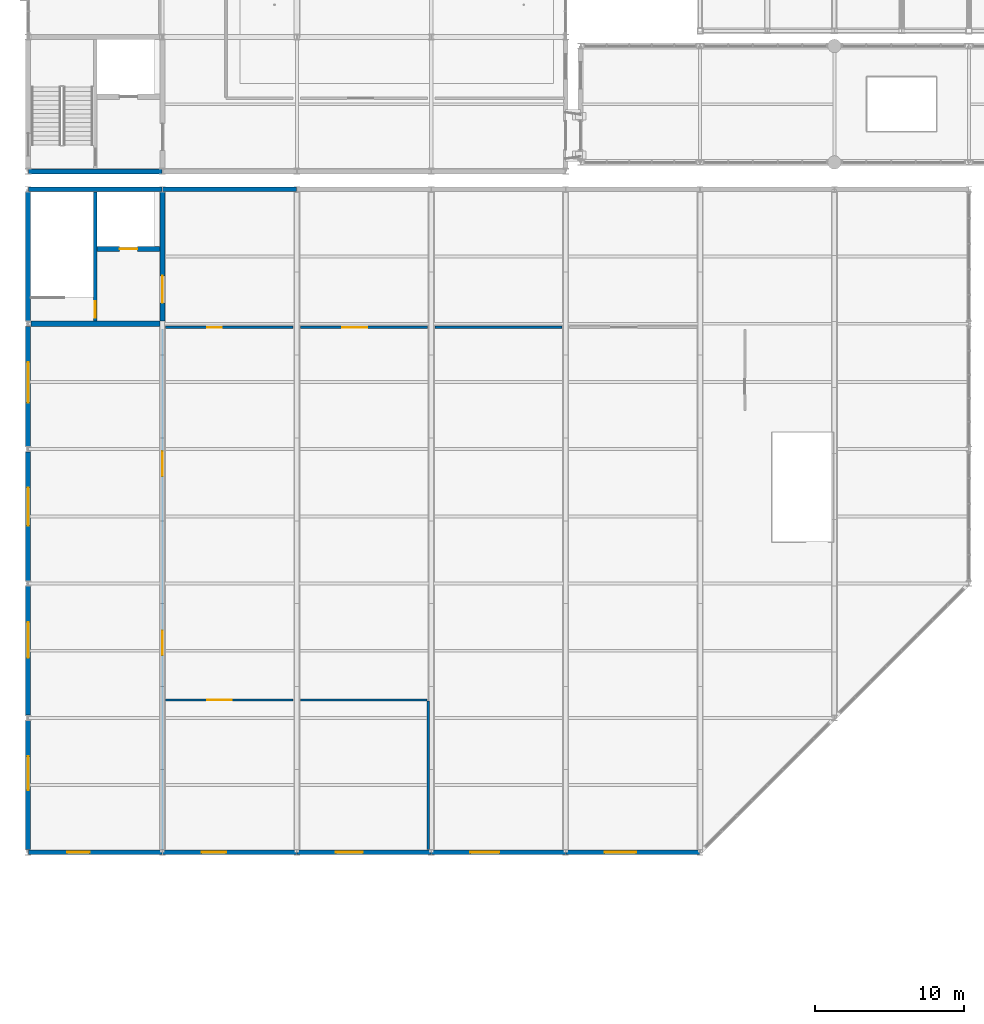
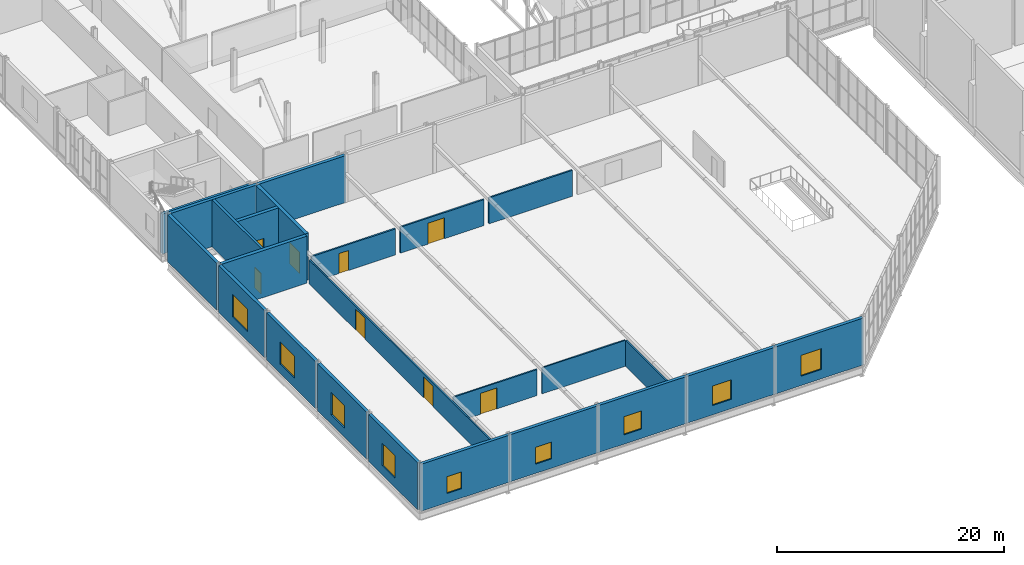
# One storey, part 111 of 134: 24 walls, 9 windows, 8 doors, 17 openings.
"""IFC4 building model written with IfcOpenShell, lengths in metres."""

from ifc_helpers import new_model, si_unit, direction, frame, frame_2d, origin, place, context, subcontext, project, spatial, rectangle, extrude, material, layer, layer_set, type_object, element, fill, save


model = new_model("IFC4")

# Units and contexts
model_context = context("Model", 3, precision=1e-05, world=origin(), true_north=direction((0.0, 1.0)))
body_context = subcontext(model_context, "Body", "Model", "MODEL_VIEW")
ifc_project = project(units=[si_unit("LENGTHUNIT", "METRE"), si_unit("AREAUNIT", "SQUARE_METRE"), si_unit("VOLUMEUNIT", "CUBIC_METRE"), si_unit("PLANEANGLEUNIT", "RADIAN"), si_unit("MASSUNIT", "GRAM", prefix="KILO")], contexts=[model_context])

# Site, building, storey
site_placement = place(None, origin())
site = spatial("IfcSite", under=ifc_project, at=site_placement, CompositionType="ELEMENT")
building_placement = place(site_placement, origin())
building = spatial("IfcBuilding", under=site, at=building_placement, Name="Cazmaro Siding Exhibition Halls", CompositionType="ELEMENT")
storey_placement = place(building_placement, frame((0.0, 0.0, 12.0)))
storey = spatial("IfcBuildingStorey", under=building, at=storey_placement, Name="L02", CompositionType="ELEMENT", Elevation=12.0)

# Wall, opening, window
ifc_material_1 = material(Name="Concrete f'c 45 MPa", Category="concrete")
ifc_layer_1 = layer(ifc_material_1, 0.320068359375)
ifc_layer_set_1 = layer_set([ifc_layer_1], Name="Concrete f'c 45 MPa")
wall_type_1 = type_object("IfcWallType", Name="EW-01", PredefinedType="STANDARD", material=ifc_layer_set_1)
wall_1_placement = place(storey_placement, frame((8.985107421875, 9.0, 0.0), z_axis=(0.0, 0.0, 1.0), x_axis=(-1.0, 0.0, 0.0)))
wall_1 = element("IfcWall", 1, at=wall_1_placement, inside=storey, type_object=wall_type_1, Name="Congress Banquet South Wall EW-01 WL-E0189", PredefinedType="STANDARD", context=body_context, shape_type="SweptSolid", body=[
    extrude(rectangle(XDim=8.97021484375, YDim=0.320068359375, at=frame_2d((4.485107421875, 0.0))), origin(), (0.0, 0.0, 1.0), 5.050048828125),
])
opening_1_placement = place(wall_1_placement, frame((4.8701171875, 0.0, 1.0)))
opening_1 = element("IfcOpeningElement", 2, at=opening_1_placement, cuts=wall_1, Name="Opening W-057", PredefinedType="OPENING", context=body_context, shape_type="SweptSolid", body=[
    extrude(rectangle(XDim=1.5, YDim=1.800048828125, at=frame_2d((0.75, 0.89990234375))), frame((0.0, 0.169921875, 0.0), z_axis=(0.0, -1.0, 0.0), x_axis=(1.0, 0.0, 0.0)), (0.0, 0.0, 1.0), 0.340087890625),
])
ifc_material_2 = material(Name="Thermally Broken Aluminum Low-E Window Unit", Category="aluminium")
window_type_1 = type_object("IfcWindowType", Name="WT-01", PartitioningType="SINGLE_PANEL", PredefinedType="WINDOW", material=ifc_material_2)
window_1_placement = place(opening_1_placement, origin())
window_1 = element("IfcWindow", 3, at=window_1_placement, inside=storey, type_object=window_type_1, Name="Window W-057 (WT-01)", OverallHeight=1.800048828125, OverallWidth=1.5, PartitioningType="SINGLE_PANEL", PredefinedType="WINDOW", context=body_context, shape_type="SweptSolid", body=[
    extrude(rectangle(XDim=1.5, YDim=1.800048828125, at=frame_2d((0.75, 0.89990234375))), frame((0.0, 0.030029296875, 0.0), z_axis=(0.0, -1.0, 0.0), x_axis=(1.0, 0.0, 0.0)), (0.0, 0.0, 1.0), 0.06005859375),
])
fill(opening_1, window_1)

wall_2_placement = place(storey_placement, frame((17.985107421875, 9.0, 0.0), z_axis=(0.0, 0.0, 1.0), x_axis=(-1.0, 0.0, 0.0)))
wall_2 = element("IfcWall", 4, at=wall_2_placement, inside=storey, type_object=wall_type_1, Name="Congress Banquet South Wall EW-01 WL-E0192", PredefinedType="STANDARD", context=body_context, shape_type="SweptSolid", body=[
    extrude(rectangle(XDim=8.97021484375, YDim=0.320068359375, at=frame_2d((4.485107421875, 0.0))), origin(), (0.0, 0.0, 1.0), 5.050048828125),
])
opening_2_placement = place(wall_2_placement, frame((4.719970703125, 0.0, 1.0)))
opening_2 = element("IfcOpeningElement", 5, at=opening_2_placement, cuts=wall_2, Name="Opening W-058", PredefinedType="OPENING", context=body_context, shape_type="SweptSolid", body=[
    extrude(rectangle(XDim=1.64990234375, YDim=1.800048828125, at=frame_2d((0.824951171875, 0.89990234375))), frame((0.0, 0.169921875, 0.0), z_axis=(0.0, -1.0, 0.0), x_axis=(1.0, 0.0, 0.0)), (0.0, 0.0, 1.0), 0.340087890625),
])
ifc_material_3 = material(Name="Thermally Broken Aluminum Low-E Window Unit", Category="aluminium")
window_type_2 = type_object("IfcWindowType", Name="WT-02", PartitioningType="SINGLE_PANEL", PredefinedType="WINDOW", material=ifc_material_3)
window_2_placement = place(opening_2_placement, origin())
window_2 = element("IfcWindow", 6, at=window_2_placement, inside=storey, type_object=window_type_2, Name="Window W-058 (WT-02)", OverallHeight=1.800048828125, OverallWidth=1.64990234375, PartitioningType="SINGLE_PANEL", PredefinedType="WINDOW", context=body_context, shape_type="SweptSolid", body=[
    extrude(rectangle(XDim=1.64990234375, YDim=1.800048828125, at=frame_2d((0.824951171875, 0.89990234375))), frame((0.0, 0.030029296875, 0.0), z_axis=(0.0, -1.0, 0.0), x_axis=(1.0, 0.0, 0.0)), (0.0, 0.0, 1.0), 0.06005859375),
])
fill(opening_2, window_2)

wall_3_placement = place(storey_placement, frame((26.985107421875, 9.0, 0.0), z_axis=(0.0, 0.0, 1.0), x_axis=(-1.0, 0.0, 0.0)))
wall_3 = element("IfcWall", 7, at=wall_3_placement, inside=storey, type_object=wall_type_1, Name="Congress Banquet South Wall EW-01 WL-E0195", PredefinedType="STANDARD", context=body_context, shape_type="SweptSolid", body=[
    extrude(rectangle(XDim=8.97021484375, YDim=0.320068359375, at=frame_2d((4.485107421875, 0.0))), origin(), (0.0, 0.0, 1.0), 5.050048828125),
])
opening_3_placement = place(wall_3_placement, frame((4.570068359375, 0.0, 1.0)))
opening_3 = element("IfcOpeningElement", 8, at=opening_3_placement, cuts=wall_3, Name="Opening W-059", PredefinedType="OPENING", context=body_context, shape_type="SweptSolid", body=[
    extrude(rectangle(XDim=1.800048828125, YDim=1.949951171875, at=frame_2d((0.89990234375, 0.97509765625))), frame((0.0, 0.169921875, 0.0), z_axis=(0.0, -1.0, 0.0), x_axis=(1.0, 0.0, 0.0)), (0.0, 0.0, 1.0), 0.340087890625),
])
ifc_material_4 = material(Name="Thermally Broken Aluminum Low-E Window Unit", Category="aluminium")
window_type_3 = type_object("IfcWindowType", Name="WT-03", PartitioningType="SINGLE_PANEL", PredefinedType="WINDOW", material=ifc_material_4)
window_3_placement = place(opening_3_placement, origin())
window_3 = element("IfcWindow", 9, at=window_3_placement, inside=storey, type_object=window_type_3, Name="Window W-059 (WT-03)", OverallHeight=1.949951171875, OverallWidth=1.800048828125, PartitioningType="SINGLE_PANEL", PredefinedType="WINDOW", context=body_context, shape_type="SweptSolid", body=[
    extrude(rectangle(XDim=1.800048828125, YDim=1.949951171875, at=frame_2d((0.89990234375, 0.97509765625))), frame((0.0, 0.030029296875, 0.0), z_axis=(0.0, -1.0, 0.0), x_axis=(1.0, 0.0, 0.0)), (0.0, 0.0, 1.0), 0.06005859375),
])
fill(opening_3, window_3)

wall_4_placement = place(storey_placement, frame((35.985107421875, 9.0, 0.0), z_axis=(0.0, 0.0, 1.0), x_axis=(-1.0, 0.0, 0.0)))
wall_4 = element("IfcWall", 10, at=wall_4_placement, inside=storey, type_object=wall_type_1, Name="Congress Banquet South Wall EW-01 WL-E0198", PredefinedType="STANDARD", context=body_context, shape_type="SweptSolid", body=[
    extrude(rectangle(XDim=8.97021484375, YDim=0.320068359375, at=frame_2d((4.485107421875, 0.0))), origin(), (0.0, 0.0, 1.0), 5.050048828125),
])
opening_4_placement = place(wall_4_placement, frame((4.419921875, 0.0, 1.0)))
opening_4 = element("IfcOpeningElement", 11, at=opening_4_placement, cuts=wall_4, Name="Opening W-060", PredefinedType="OPENING", context=body_context, shape_type="SweptSolid", body=[
    extrude(rectangle(XDim=1.949951171875, YDim=2.10009765625, at=frame_2d((0.97509765625, 1.050048828125))), frame((0.0, 0.169921875, 0.0), z_axis=(0.0, -1.0, 0.0), x_axis=(1.0, 0.0, 0.0)), (0.0, 0.0, 1.0), 0.340087890625),
])
ifc_material_5 = material(Name="Thermally Broken Aluminum Low-E Window Unit", Category="aluminium")
window_type_4 = type_object("IfcWindowType", Name="WT-04", PartitioningType="SINGLE_PANEL", PredefinedType="WINDOW", material=ifc_material_5)
window_4_placement = place(opening_4_placement, origin())
window_4 = element("IfcWindow", 12, at=window_4_placement, inside=storey, type_object=window_type_4, Name="Window W-060 (WT-04)", OverallHeight=2.10009765625, OverallWidth=1.949951171875, PartitioningType="SINGLE_PANEL", PredefinedType="WINDOW", context=body_context, shape_type="SweptSolid", body=[
    extrude(rectangle(XDim=1.949951171875, YDim=2.10009765625, at=frame_2d((0.97509765625, 1.050048828125))), frame((0.0, 0.030029296875, 0.0), z_axis=(0.0, -1.0, 0.0), x_axis=(1.0, 0.0, 0.0)), (0.0, 0.0, 1.0), 0.06005859375),
])
fill(opening_4, window_4)

wall_5_placement = place(storey_placement, frame((44.985107421875, 9.0, 0.0), z_axis=(0.0, 0.0, 1.0), x_axis=(-1.0, 0.0, 0.0)))
wall_5 = element("IfcWall", 13, at=wall_5_placement, inside=storey, type_object=wall_type_1, Name="Congress Banquet South Wall EW-01 WL-E0201", PredefinedType="STANDARD", context=body_context, shape_type="SweptSolid", body=[
    extrude(rectangle(XDim=8.97021484375, YDim=0.320068359375, at=frame_2d((4.485107421875, 0.0))), origin(), (0.0, 0.0, 1.0), 5.050048828125),
])
opening_5_placement = place(wall_5_placement, frame((4.27001953125, 0.0, 1.0)))
opening_5 = element("IfcOpeningElement", 14, at=opening_5_placement, cuts=wall_5, Name="Opening W-061", PredefinedType="OPENING", context=body_context, shape_type="SweptSolid", body=[
    extrude(rectangle(XDim=2.10009765625, YDim=2.25, at=frame_2d((1.050048828125, 1.125))), frame((0.0, 0.169921875, 0.0), z_axis=(0.0, -1.0, 0.0), x_axis=(1.0, 0.0, 0.0)), (0.0, 0.0, 1.0), 0.340087890625),
])
ifc_material_6 = material(Name="Thermally Broken Aluminum Low-E Window Unit", Category="aluminium")
window_type_5 = type_object("IfcWindowType", Name="WT-05", PartitioningType="SINGLE_PANEL", PredefinedType="WINDOW", material=ifc_material_6)
window_5_placement = place(opening_5_placement, origin())
window_5 = element("IfcWindow", 15, at=window_5_placement, inside=storey, type_object=window_type_5, Name="Window W-061 (WT-05)", OverallHeight=2.25, OverallWidth=2.10009765625, PartitioningType="SINGLE_PANEL", PredefinedType="WINDOW", context=body_context, shape_type="SweptSolid", body=[
    extrude(rectangle(XDim=2.10009765625, YDim=2.25, at=frame_2d((1.050048828125, 1.125))), frame((0.0, 0.030029296875, 0.0), z_axis=(0.0, -1.0, 0.0), x_axis=(1.0, 0.0, 0.0)), (0.0, 0.0, 1.0), 0.06005859375),
])
fill(opening_5, window_5)

wall_6_placement = place(storey_placement, frame((0.0, 9.179931640625, 0.0), z_axis=(0.0, 0.0, 1.0), x_axis=(0.0, 1.0, 0.0)))
wall_6 = element("IfcWall", 16, at=wall_6_placement, inside=storey, type_object=wall_type_1, Name="Congress West Banquet Wall EW-01 WL-E0207", PredefinedType="STANDARD", context=body_context, shape_type="SweptSolid", body=[
    extrude(rectangle(XDim=8.64013671875, YDim=0.320068359375, at=frame_2d((4.320068359375, 0.0))), origin(), (0.0, 0.0, 1.0), 5.050048828125),
])
opening_6_placement = place(wall_6_placement, frame((3.989990234375, 0.0, 1.0)))
opening_6 = element("IfcOpeningElement", 17, at=opening_6_placement, cuts=wall_6, Name="Opening W-062", PredefinedType="OPENING", context=body_context, shape_type="SweptSolid", body=[
    extrude(rectangle(XDim=2.25, YDim=2.39990234375, at=frame_2d((1.125, 1.199951171875))), frame((0.0, 0.169921875, 0.0), z_axis=(0.0, -1.0, 0.0), x_axis=(1.0, 0.0, 0.0)), (0.0, 0.0, 1.0), 0.340087890625),
])
ifc_material_7 = material(Name="Thermally Broken Aluminum Low-E Window Unit", Category="aluminium")
window_type_6 = type_object("IfcWindowType", Name="WT-06", PartitioningType="SINGLE_PANEL", PredefinedType="WINDOW", material=ifc_material_7)
window_6_placement = place(opening_6_placement, origin())
window_6 = element("IfcWindow", 18, at=window_6_placement, inside=storey, type_object=window_type_6, Name="Window W-062 (WT-06)", OverallHeight=2.39990234375, OverallWidth=2.25, PartitioningType="SINGLE_PANEL", PredefinedType="WINDOW", context=body_context, shape_type="SweptSolid", body=[
    extrude(rectangle(XDim=2.25, YDim=2.39990234375, at=frame_2d((1.125, 1.199951171875))), frame((0.0, 0.030029296875, 0.0), z_axis=(0.0, -1.0, 0.0), x_axis=(1.0, 0.0, 0.0)), (0.0, 0.0, 1.0), 0.06005859375),
])
fill(opening_6, window_6)

wall_7_placement = place(storey_placement, frame((0.0, 18.179931640625, 0.0), z_axis=(0.0, 0.0, 1.0), x_axis=(0.0, 1.0, 0.0)))
wall_7 = element("IfcWall", 19, at=wall_7_placement, inside=storey, type_object=wall_type_1, Name="Congress West Banquet Wall EW-01 WL-E0210", PredefinedType="STANDARD", context=body_context, shape_type="SweptSolid", body=[
    extrude(rectangle(XDim=8.64013671875, YDim=0.320068359375, at=frame_2d((4.320068359375, 0.0))), origin(), (0.0, 0.0, 1.0), 5.050048828125),
])
opening_7_placement = place(wall_7_placement, frame((3.840087890625, 0.0, 1.0)))
opening_7 = element("IfcOpeningElement", 20, at=opening_7_placement, cuts=wall_7, Name="Opening W-063", PredefinedType="OPENING", context=body_context, shape_type="SweptSolid", body=[
    extrude(rectangle(XDim=2.39990234375, YDim=2.39990234375, at=frame_2d((1.199951171875, 1.199951171875))), frame((0.0, 0.169921875, 0.0), z_axis=(0.0, -1.0, 0.0), x_axis=(1.0, 0.0, 0.0)), (0.0, 0.0, 1.0), 0.340087890625),
])
ifc_material_8 = material(Name="Thermally Broken Aluminum Low-E Window Unit", Category="aluminium")
window_type_7 = type_object("IfcWindowType", Name="WT-07", PartitioningType="SINGLE_PANEL", PredefinedType="WINDOW", material=ifc_material_8)
window_7_placement = place(opening_7_placement, origin())
window_7 = element("IfcWindow", 21, at=window_7_placement, inside=storey, type_object=window_type_7, Name="Window W-063 (WT-07)", OverallHeight=2.39990234375, OverallWidth=2.39990234375, PartitioningType="SINGLE_PANEL", PredefinedType="WINDOW", context=body_context, shape_type="SweptSolid", body=[
    extrude(rectangle(XDim=2.39990234375, YDim=2.39990234375, at=frame_2d((1.199951171875, 1.199951171875))), frame((0.0, 0.030029296875, 0.0), z_axis=(0.0, -1.0, 0.0), x_axis=(1.0, 0.0, 0.0)), (0.0, 0.0, 1.0), 0.06005859375),
])
fill(opening_7, window_7)

wall_8_placement = place(storey_placement, frame((0.0, 27.179931640625, 0.0), z_axis=(0.0, 0.0, 1.0), x_axis=(0.0, 1.0, 0.0)))
wall_8 = element("IfcWall", 22, at=wall_8_placement, inside=storey, type_object=wall_type_1, Name="Congress West Banquet Wall EW-01 WL-E0213", PredefinedType="STANDARD", context=body_context, shape_type="SweptSolid", body=[
    extrude(rectangle(XDim=8.64013671875, YDim=0.320068359375, at=frame_2d((4.320068359375, 0.0))), origin(), (0.0, 0.0, 1.0), 5.050048828125),
])
opening_8_placement = place(wall_8_placement, frame((3.68994140625, 0.0, 1.0)))
opening_8 = element("IfcOpeningElement", 23, at=opening_8_placement, cuts=wall_8, Name="Opening W-064", PredefinedType="OPENING", context=body_context, shape_type="SweptSolid", body=[
    extrude(rectangle(XDim=2.550048828125, YDim=2.39990234375, at=frame_2d((1.27490234375, 1.199951171875))), frame((0.0, 0.169921875, 0.0), z_axis=(0.0, -1.0, 0.0), x_axis=(1.0, 0.0, 0.0)), (0.0, 0.0, 1.0), 0.340087890625),
])
ifc_material_9 = material(Name="Thermally Broken Aluminum Low-E Window Unit", Category="aluminium")
window_type_8 = type_object("IfcWindowType", Name="WT-08", PartitioningType="SINGLE_PANEL", PredefinedType="WINDOW", material=ifc_material_9)
window_8_placement = place(opening_8_placement, origin())
window_8 = element("IfcWindow", 24, at=window_8_placement, inside=storey, type_object=window_type_8, Name="Window W-064 (WT-08)", OverallHeight=2.39990234375, OverallWidth=2.550048828125, PartitioningType="SINGLE_PANEL", PredefinedType="WINDOW", context=body_context, shape_type="SweptSolid", body=[
    extrude(rectangle(XDim=2.550048828125, YDim=2.39990234375, at=frame_2d((1.27490234375, 1.199951171875))), frame((0.0, 0.030029296875, 0.0), z_axis=(0.0, -1.0, 0.0), x_axis=(1.0, 0.0, 0.0)), (0.0, 0.0, 1.0), 0.06005859375),
])
fill(opening_8, window_8)

wall_9_placement = place(storey_placement, frame((0.0, 36.179931640625, 0.0), z_axis=(0.0, 0.0, 1.0), x_axis=(0.0, 1.0, 0.0)))
wall_9 = element("IfcWall", 25, at=wall_9_placement, inside=storey, type_object=wall_type_1, Name="Congress West Banquet Wall EW-01 WL-E0216", PredefinedType="STANDARD", context=body_context, shape_type="SweptSolid", body=[
    extrude(rectangle(XDim=8.0400390625, YDim=0.320068359375, at=frame_2d((4.02001953125, 0.0))), origin(), (0.0, 0.0, 1.0), 5.050048828125),
])
opening_9_placement = place(wall_9_placement, frame((2.93994140625, 0.0, 1.0)))
opening_9 = element("IfcOpeningElement", 26, at=opening_9_placement, cuts=wall_9, Name="Opening W-065", PredefinedType="OPENING", context=body_context, shape_type="SweptSolid", body=[
    extrude(rectangle(XDim=2.699951171875, YDim=2.39990234375, at=frame_2d((1.35009765625, 1.199951171875))), frame((0.0, 0.169921875, 0.0), z_axis=(0.0, -1.0, 0.0), x_axis=(1.0, 0.0, 0.0)), (0.0, 0.0, 1.0), 0.340087890625),
])
ifc_material_10 = material(Name="Thermally Broken Aluminum Low-E Window Unit", Category="aluminium")
window_type_9 = type_object("IfcWindowType", Name="WT-09", PartitioningType="SINGLE_PANEL", PredefinedType="WINDOW", material=ifc_material_10)
window_9_placement = place(opening_9_placement, origin())
window_9 = element("IfcWindow", 27, at=window_9_placement, inside=storey, type_object=window_type_9, Name="Window W-065 (WT-09)", OverallHeight=2.39990234375, OverallWidth=2.699951171875, PartitioningType="SINGLE_PANEL", PredefinedType="WINDOW", context=body_context, shape_type="SweptSolid", body=[
    extrude(rectangle(XDim=2.699951171875, YDim=2.39990234375, at=frame_2d((1.35009765625, 1.199951171875))), frame((0.0, 0.030029296875, 0.0), z_axis=(0.0, -1.0, 0.0), x_axis=(1.0, 0.0, 0.0)), (0.0, 0.0, 1.0), 0.06005859375),
])
fill(opening_9, window_9)

# Walls
wall_10_placement = place(storey_placement, frame((0.0, 44.580078125, 0.0), z_axis=(0.0, 0.0, 1.0), x_axis=(0.0, 1.0, 0.0)))
element("IfcWall", 28, at=wall_10_placement, inside=storey, type_object=wall_type_1, Name="Congress West Banquet Wall EW-01 WL-E0219", PredefinedType="STANDARD", context=body_context, shape_type="SweptSolid", body=[
    extrude(rectangle(XDim=8.639892578125, YDim=0.320068359375, at=frame_2d((4.31982421875, 0.0))), origin(), (0.0, 0.0, 1.0), 5.050048828125),
])
for number, where, z_axis, x_axis, name in (
    (29, (0.014892578125, 53.39990234375, 0.0), (0.0, 0.0, 1.0), (1.0, 0.0, 0.0), "Congress North Banquet Wall EW-01 WL-E0222"),
    (30, (9.014892578125, 53.39990234375, 0.0), (0.0, 0.0, 1.0), (1.0, 0.0, 0.0), "Congress North Banquet Wall EW-01 WL-E0225"),
):
    element("IfcWall", number, at=place(storey_placement, frame(where, z_axis=z_axis, x_axis=x_axis)), inside=storey, type_object=wall_type_1, Name=name, PredefinedType="STANDARD", context=body_context, shape_type="SweptSolid", body=[
        extrude(rectangle(XDim=8.97021484375, YDim=0.320068359375, at=frame_2d((4.485107421875, 0.0))), origin(), (0.0, 0.0, 1.0), 5.050048828125),
    ])
wall_11_placement = place(storey_placement, frame((8.98095703125, 54.60009765625, 0.0), z_axis=(0.0, 0.0, 1.0), x_axis=(-1.0, 0.0, 0.0)))
element("IfcWall", 31, at=wall_11_placement, inside=storey, type_object=wall_type_1, Name="West Wing South Seismic Wall L02 EW-01 WL-E0285", PredefinedType="STANDARD", context=body_context, shape_type="SweptSolid", body=[
    extrude(rectangle(XDim=8.9619140625, YDim=0.320068359375, at=frame_2d((4.48095703125, 0.0))), origin(), (0.0, 0.0, 1.0), 4.280029296875),
])

# Wall, opening, door
ifc_material_11 = material(Name="Fire-Rated Gypsum Board on Cold-Formed Steel Studs", Category="steel")
ifc_layer_2 = layer(ifc_material_11, 0.14501953125)
ifc_layer_set_2 = layer_set([ifc_layer_2], Name="Fire-Rated Gypsum Board on Cold-Formed Steel Studs")
wall_type_2 = type_object("IfcWallType", Name="PW-01", PredefinedType="PARTITIONING", material=ifc_layer_set_2)
wall_12_placement = place(storey_placement, frame((9.199951171875, 19.199951171875, 0.0), z_axis=(0.0, 0.0, 1.0), x_axis=(1.0, 0.0, 0.0)))
wall_12 = element("IfcWall", 32, at=wall_12_placement, inside=storey, type_object=wall_type_2, Name="Banquet Storage Partition L02 PW-01 WL-I0346", PredefinedType="PARTITIONING", context=body_context, shape_type="SweptSolid", body=[
    extrude(rectangle(XDim=8.550048828125, YDim=0.14501953125, at=frame_2d((4.27490234375, 0.0))), origin(), (0.0, 0.0, 1.0), 2.800048828125),
])
opening_10_placement = place(wall_12_placement, frame((2.800048828125, 0.0, 0.0)))
opening_10 = element("IfcOpeningElement", 33, at=opening_10_placement, cuts=wall_12, Name="Opening D-I169", PredefinedType="OPENING", context=body_context, shape_type="SweptSolid", body=[
    extrude(rectangle(XDim=1.64990234375, YDim=2.25, at=frame_2d((0.824951171875, 1.125))), frame((0.0, 0.08251953125, 0.0), z_axis=(0.0, -1.0, 0.0), x_axis=(1.0, 0.0, 0.0)), (0.0, 0.0, 1.0), 0.1650390625),
])
ifc_material_12 = material(Name="Fire-Rated Painted Hollow Metal Door", Category="steel")
door_type_1 = type_object("IfcDoorType", Name="ID-05", OperationType="DOUBLE_DOOR_SINGLE_SWING", PredefinedType="DOOR", material=ifc_material_12)
door_1_placement = place(opening_10_placement, origin())
door_1 = element("IfcDoor", 34, at=door_1_placement, inside=storey, type_object=door_type_1, Name="Interior door D-I169 (ID-05)", OperationType="DOUBLE_DOOR_SINGLE_SWING", OverallHeight=2.25, OverallWidth=1.64990234375, PredefinedType="DOOR", context=body_context, shape_type="SweptSolid", body=[
    extrude(rectangle(XDim=1.64990234375, YDim=2.25, at=frame_2d((0.824951171875, 1.125))), frame((0.0, 0.02490234375, 0.0), z_axis=(0.0, -1.0, 0.0), x_axis=(1.0, 0.0, 0.0)), (0.0, 0.0, 1.0), 0.050048828125),
])
fill(opening_10, door_1)

# Wall
wall_13_placement = place(storey_placement, frame((18.25, 19.199951171875, 0.0), z_axis=(0.0, 0.0, 1.0), x_axis=(1.0, 0.0, 0.0)))
element("IfcWall", 35, at=wall_13_placement, inside=storey, type_object=wall_type_2, Name="Banquet Storage Partition L02 PW-01 WL-I0347", PredefinedType="PARTITIONING", context=body_context, shape_type="SweptSolid", body=[
    extrude(rectangle(XDim=8.469970703125, YDim=0.14501953125, at=frame_2d((4.23486328125, 0.0))), origin(), (0.0, 0.0, 1.0), 2.800048828125),
])

# Wall, openings, doors
wall_14_placement = place(storey_placement, frame((9.0, 9.199951171875, 0.0), z_axis=(0.0, 0.0, 1.0), x_axis=(0.0, 1.0, 0.0)))
wall_14 = element("IfcWall", 36, at=wall_14_placement, inside=storey, type_object=wall_type_2, Name="Banquet Kitchen Partition PW-01 WL-I0357", PredefinedType="PARTITIONING", context=body_context, shape_type="SweptSolid", body=[
    extrude(rectangle(XDim=34.85009765625, YDim=0.14501953125, at=frame_2d((17.425048828125, 0.0))), origin(), (0.0, 0.0, 1.0), 2.550048828125),
])
opening_11_placement = place(wall_14_placement, frame((13.0, 0.0, 0.0)))
opening_11 = element("IfcOpeningElement", 37, at=opening_11_placement, cuts=wall_14, Name="Opening D-I176", PredefinedType="OPENING", context=body_context, shape_type="SweptSolid", body=[
    extrude(rectangle(XDim=1.64990234375, YDim=2.25, at=frame_2d((0.824951171875, 1.125))), frame((0.0, 0.08251953125, 0.0), z_axis=(0.0, -1.0, 0.0), x_axis=(1.0, 0.0, 0.0)), (0.0, 0.0, 1.0), 0.1650390625),
])
opening_12_placement = place(wall_14_placement, frame((25.0, 0.0, 0.0)))
opening_12 = element("IfcOpeningElement", 38, at=opening_12_placement, cuts=wall_14, Name="Opening D-I177", PredefinedType="OPENING", context=body_context, shape_type="SweptSolid", body=[
    extrude(rectangle(XDim=1.64990234375, YDim=2.25, at=frame_2d((0.824951171875, 1.125))), frame((0.0, 0.08251953125, 0.0), z_axis=(0.0, -1.0, 0.0), x_axis=(1.0, 0.0, 0.0)), (0.0, 0.0, 1.0), 0.1650390625),
])
door_2_placement = place(opening_11_placement, origin())
door_2 = element("IfcDoor", 39, at=door_2_placement, inside=storey, type_object=door_type_1, Name="Interior door D-I176 (ID-05)", OperationType="DOUBLE_DOOR_SINGLE_SWING", OverallHeight=2.25, OverallWidth=1.64990234375, PredefinedType="DOOR", context=body_context, shape_type="SweptSolid", body=[
    extrude(rectangle(XDim=1.64990234375, YDim=2.25, at=frame_2d((0.824951171875, 1.125))), frame((0.0, 0.02490234375, 0.0), z_axis=(0.0, -1.0, 0.0), x_axis=(1.0, 0.0, 0.0)), (0.0, 0.0, 1.0), 0.050048828125),
])
fill(opening_11, door_2)
door_3_placement = place(opening_12_placement, origin())
door_3 = element("IfcDoor", 40, at=door_3_placement, inside=storey, type_object=door_type_1, Name="Interior door D-I177 (ID-05)", OperationType="DOUBLE_DOOR_SINGLE_SWING", OverallHeight=2.25, OverallWidth=1.64990234375, PredefinedType="DOOR", context=body_context, shape_type="SweptSolid", body=[
    extrude(rectangle(XDim=1.64990234375, YDim=2.25, at=frame_2d((0.824951171875, 1.125))), frame((0.0, 0.02490234375, 0.0), z_axis=(0.0, -1.0, 0.0), x_axis=(1.0, 0.0, 0.0)), (0.0, 0.0, 1.0), 0.050048828125),
])
fill(opening_12, door_3)

# Wall
ifc_material_13 = material(Name="Moisture-Resistant Gypsum Board on Acoustic Steel Studs", Category="steel")
ifc_layer_3 = layer(ifc_material_13, 0.1650390625)
ifc_layer_set_3 = layer_set([ifc_layer_3], Name="Moisture-Resistant Gypsum Board on Acoustic Steel Studs")
wall_type_3 = type_object("IfcWallType", Name="PW-02", PredefinedType="PARTITIONING", material=ifc_layer_set_3)
wall_15_placement = place(storey_placement, frame((26.800048828125, 9.179931640625, 0.0), z_axis=(0.0, 0.0, 1.0), x_axis=(0.0, 1.0, 0.0)))
element("IfcWall", 41, at=wall_15_placement, inside=storey, type_object=wall_type_3, Name="Banquet Storage East Wall L02 PW-02 WL-I0348", PredefinedType="PARTITIONING", context=body_context, shape_type="SweptSolid", body=[
    extrude(rectangle(XDim=9.940185546875, YDim=0.1650390625, at=frame_2d((4.97021484375, 0.0))), origin(), (0.0, 0.0, 1.0), 2.800048828125),
])

# Wall, opening, door
wall_16_placement = place(storey_placement, frame((9.199951171875, 44.14990234375, 0.0), z_axis=(0.0, 0.0, 1.0), x_axis=(1.0, 0.0, 0.0)))
wall_16 = element("IfcWall", 42, at=wall_16_placement, inside=storey, type_object=wall_type_3, Name="Banquet Pre-Function Wall PW-02 WL-I0350", PredefinedType="PARTITIONING", context=body_context, shape_type="SweptSolid", body=[
    extrude(rectangle(XDim=8.550048828125, YDim=0.1650390625, at=frame_2d((4.27490234375, 0.0))), origin(), (0.0, 0.0, 1.0), 2.800048828125),
])
opening_13_placement = place(wall_16_placement, frame((2.800048828125, 0.0, 0.0)))
opening_13 = element("IfcOpeningElement", 43, at=opening_13_placement, cuts=wall_16, Name="Opening D-I171", PredefinedType="OPENING", context=body_context, shape_type="SweptSolid", body=[
    extrude(rectangle(XDim=0.97998046875, YDim=2.14990234375, at=frame_2d((0.489990234375, 1.074951171875))), frame((0.0, 0.092529296875, 0.0), z_axis=(0.0, -1.0, 0.0), x_axis=(1.0, 0.0, 0.0)), (0.0, 0.0, 1.0), 0.18505859375),
])
ifc_material_14 = material(Name="Fire-Rated Painted Hollow Metal Door", Category="steel")
door_type_2 = type_object("IfcDoorType", Name="ID-03", OperationType="NOTDEFINED", PredefinedType="DOOR", material=ifc_material_14)
door_4_placement = place(opening_13_placement, origin())
door_4 = element("IfcDoor", 44, at=door_4_placement, inside=storey, type_object=door_type_2, Name="Interior door D-I171 (ID-03)", OperationType="SINGLE_SWING_LEFT", OverallHeight=2.14990234375, OverallWidth=0.97998046875, PredefinedType="DOOR", context=body_context, shape_type="SweptSolid", body=[
    extrude(rectangle(XDim=0.97998046875, YDim=2.14990234375, at=frame_2d((0.489990234375, 1.074951171875))), frame((0.0, 0.02490234375, 0.0), z_axis=(0.0, -1.0, 0.0), x_axis=(1.0, 0.0, 0.0)), (0.0, 0.0, 1.0), 0.050048828125),
])
fill(opening_13, door_4)

wall_17_placement = place(storey_placement, frame((18.25, 44.14990234375, 0.0), z_axis=(0.0, 0.0, 1.0), x_axis=(1.0, 0.0, 0.0)))
wall_17 = element("IfcWall", 45, at=wall_17_placement, inside=storey, type_object=wall_type_3, Name="Banquet Pre-Function Wall PW-02 WL-I0352", PredefinedType="PARTITIONING", context=body_context, shape_type="SweptSolid", body=[
    extrude(rectangle(XDim=8.5, YDim=0.1650390625, at=frame_2d((4.25, 0.0))), origin(), (0.0, 0.0, 1.0), 2.800048828125),
])
opening_14_placement = place(wall_17_placement, frame((2.800048828125, 0.0, 0.0)))
opening_14 = element("IfcOpeningElement", 46, at=opening_14_placement, cuts=wall_17, Name="Opening D-I173", PredefinedType="OPENING", context=body_context, shape_type="SweptSolid", body=[
    extrude(rectangle(XDim=1.64990234375, YDim=2.25, at=frame_2d((0.824951171875, 1.125))), frame((0.0, 0.092529296875, 0.0), z_axis=(0.0, -1.0, 0.0), x_axis=(1.0, 0.0, 0.0)), (0.0, 0.0, 1.0), 0.18505859375),
])
door_5_placement = place(opening_14_placement, origin())
door_5 = element("IfcDoor", 47, at=door_5_placement, inside=storey, type_object=door_type_1, Name="Interior door D-I173 (ID-05)", OperationType="DOUBLE_DOOR_SINGLE_SWING", OverallHeight=2.25, OverallWidth=1.64990234375, PredefinedType="DOOR", context=body_context, shape_type="SweptSolid", body=[
    extrude(rectangle(XDim=1.64990234375, YDim=2.25, at=frame_2d((0.824951171875, 1.125))), frame((0.0, 0.02490234375, 0.0), z_axis=(0.0, -1.0, 0.0), x_axis=(1.0, 0.0, 0.0)), (0.0, 0.0, 1.0), 0.050048828125),
])
fill(opening_14, door_5)

# Wall
wall_18_placement = place(storey_placement, frame((27.25, 44.14990234375, 0.0), z_axis=(0.0, 0.0, 1.0), x_axis=(1.0, 0.0, 0.0)))
element("IfcWall", 48, at=wall_18_placement, inside=storey, type_object=wall_type_3, Name="Banquet Pre-Function Wall PW-02 WL-I0354", PredefinedType="PARTITIONING", context=body_context, shape_type="SweptSolid", body=[
    extrude(rectangle(XDim=8.5, YDim=0.1650390625, at=frame_2d((4.25, 0.0))), origin(), (0.0, 0.0, 1.0), 2.800048828125),
])

# Wall, opening, door
ifc_material_15 = material(Name="Concrete f'c 50 MPa", Category="concrete")
ifc_layer_4 = layer(ifc_material_15, 0.360107421875)
ifc_layer_set_4 = layer_set([ifc_layer_4], Name="Concrete f'c 50 MPa")
wall_type_4 = type_object("IfcWallType", Name="SW-01", PredefinedType="SHEAR", material=ifc_layer_set_4)
wall_19_placement = place(storey_placement, frame((9.0, 44.572998046875, 0.0), z_axis=(0.0, 0.0, 1.0), x_axis=(0.0, 1.0, 0.0)))
wall_19 = element("IfcWall", 49, at=wall_19_placement, inside=storey, type_object=wall_type_4, Name="Core C6 East Shear Wall SW-01 WL-I0072", PredefinedType="SHEAR", context=body_context, shape_type="SweptSolid", body=[
    extrude(rectangle(XDim=8.64599609375, YDim=0.360107421875, at=frame_2d((4.322998046875, 0.0))), origin(), (0.0, 0.0, 1.0), 5.050048828125),
])
opening_15_placement = place(wall_19_placement, frame((1.22705078125, 0.0, 0.0)))
opening_15 = element("IfcOpeningElement", 50, at=opening_15_placement, cuts=wall_19, Name="Opening D-I036", PredefinedType="OPENING", context=body_context, shape_type="SweptSolid", body=[
    extrude(rectangle(XDim=1.800048828125, YDim=2.300048828125, at=frame_2d((0.89990234375, 1.14990234375))), frame((0.0, 0.18994140625, 0.0), z_axis=(0.0, -1.0, 0.0), x_axis=(1.0, 0.0, 0.0)), (0.0, 0.0, 1.0), 0.380126953125),
])
ifc_material_16 = material(Name="Fire-Rated Painted Hollow Metal Door", Category="steel")
door_type_3 = type_object("IfcDoorType", Name="ID-02", OperationType="DOUBLE_DOOR_SINGLE_SWING", PredefinedType="DOOR", material=ifc_material_16)
door_6_placement = place(opening_15_placement, origin())
door_6 = element("IfcDoor", 51, at=door_6_placement, inside=storey, type_object=door_type_3, Name="Interior door D-I036 (ID-02)", OperationType="DOUBLE_DOOR_SINGLE_SWING", OverallHeight=2.300048828125, OverallWidth=1.800048828125, PredefinedType="DOOR", context=body_context, shape_type="SweptSolid", body=[
    extrude(rectangle(XDim=1.800048828125, YDim=2.300048828125, at=frame_2d((0.89990234375, 1.14990234375))), frame((0.0, 0.02490234375, 0.0), z_axis=(0.0, -1.0, 0.0), x_axis=(1.0, 0.0, 0.0)), (0.0, 0.0, 1.0), 0.050048828125),
])
fill(opening_15, door_6)

# Wall
wall_20_placement = place(storey_placement, frame((0.180908203125, 44.39990234375, 0.0), z_axis=(0.0, 0.0, 1.0), x_axis=(1.0, 0.0, 0.0)))
element("IfcWall", 52, at=wall_20_placement, inside=storey, type_object=wall_type_4, Name="Core C6 South Shear Wall SW-01 WL-I0073", PredefinedType="SHEAR", context=body_context, shape_type="SweptSolid", body=[
    extrude(rectangle(XDim=8.64013671875, YDim=0.360107421875, at=frame_2d((4.320068359375, 0.0))), origin(), (0.0, 0.0, 1.0), 5.050048828125),
])

# Wall, opening, door
wall_21_placement = place(storey_placement, frame((4.614990234375, 49.39990234375, 0.0), z_axis=(0.0, 0.0, 1.0), x_axis=(1.0, 0.0, 0.0)))
wall_21 = element("IfcWall", 53, at=wall_21_placement, inside=storey, type_object=wall_type_4, Name="Core C6 Lift Shaft Wall SW-01 WL-I0075", PredefinedType="SHEAR", context=body_context, shape_type="SweptSolid", body=[
    extrude(rectangle(XDim=4.219970703125, YDim=0.360107421875, at=frame_2d((2.10986328125, 0.0))), origin(), (0.0, 0.0, 1.0), 5.050048828125),
])
opening_16_placement = place(wall_21_placement, frame((1.510009765625, 0.0, 0.0)))
opening_16 = element("IfcOpeningElement", 54, at=opening_16_placement, cuts=wall_21, Name="Opening LD-018", PredefinedType="OPENING", context=body_context, shape_type="SweptSolid", body=[
    extrude(rectangle(XDim=1.199951171875, YDim=2.300048828125, at=frame_2d((0.60009765625, 1.14990234375))), frame((0.0, 0.18994140625, 0.0), z_axis=(0.0, -1.0, 0.0), x_axis=(1.0, 0.0, 0.0)), (0.0, 0.0, 1.0), 0.380126953125),
])
ifc_material_17 = material(Name="Stainless Steel Elevator Landing Door", Category="steel")
door_type_4 = type_object("IfcDoorType", Name="LD-01", OperationType="SLIDING_TO_LEFT", PredefinedType="DOOR", material=ifc_material_17)
door_7_placement = place(opening_16_placement, origin())
door_7 = element("IfcDoor", 55, at=door_7_placement, inside=storey, type_object=door_type_4, Name="Interior door LD-018 (LD-01)", OperationType="SLIDING_TO_LEFT", OverallHeight=2.300048828125, OverallWidth=1.199951171875, PredefinedType="DOOR", context=body_context, shape_type="SweptSolid", body=[
    extrude(rectangle(XDim=1.199951171875, YDim=2.300048828125, at=frame_2d((0.60009765625, 1.14990234375))), frame((0.0, 0.02490234375, 0.0), z_axis=(0.0, -1.0, 0.0), x_axis=(1.0, 0.0, 0.0)), (0.0, 0.0, 1.0), 0.050048828125),
])
fill(opening_16, door_7)

ifc_material_18 = material(Name="Concrete f'c 50 MPa", Category="concrete")
ifc_layer_5 = layer(ifc_material_18, 0.25)
ifc_layer_set_5 = layer_set([ifc_layer_5], Name="Concrete f'c 50 MPa")
wall_type_5 = type_object("IfcWallType", Name="SW-02", PredefinedType="SHEAR", material=ifc_layer_set_5)
wall_22_placement = place(storey_placement, frame((4.5, 44.56494140625, 0.0), z_axis=(0.0, 0.0, 1.0), x_axis=(0.0, 1.0, 0.0)))
wall_22 = element("IfcWall", 56, at=wall_22_placement, inside=storey, type_object=wall_type_5, Name="Core C6 Stair-Lobby Divider SW-02 WL-I0074", PredefinedType="SHEAR", context=body_context, shape_type="SweptSolid", body=[
    extrude(rectangle(XDim=8.670166015625, YDim=0.25, at=frame_2d((4.3349609375, 0.0))), origin(), (0.0, 0.0, 1.0), 5.050048828125),
])
opening_17_placement = place(wall_22_placement, frame((0.25, 0.0, 0.0)))
opening_17 = element("IfcOpeningElement", 57, at=opening_17_placement, cuts=wall_22, Name="Opening D-I035", PredefinedType="OPENING", context=body_context, shape_type="SweptSolid", body=[
    extrude(rectangle(XDim=1.10009765625, YDim=2.199951171875, at=frame_2d((0.550048828125, 1.10009765625))), frame((0.0, 0.135009765625, 0.0), z_axis=(0.0, -1.0, 0.0), x_axis=(1.0, 0.0, 0.0)), (0.0, 0.0, 1.0), 0.27001953125),
])
ifc_material_19 = material(Name="Fire-Rated Painted Hollow Metal Door", Category="steel")
door_type_5 = type_object("IfcDoorType", Name="ID-01", OperationType="NOTDEFINED", PredefinedType="DOOR", material=ifc_material_19)
door_8_placement = place(opening_17_placement, origin())
door_8 = element("IfcDoor", 58, at=door_8_placement, inside=storey, type_object=door_type_5, Name="Interior door D-I035 (ID-01)", OperationType="SINGLE_SWING_RIGHT", OverallHeight=2.199951171875, OverallWidth=1.10009765625, PredefinedType="DOOR", context=body_context, shape_type="SweptSolid", body=[
    extrude(rectangle(XDim=1.10009765625, YDim=2.199951171875, at=frame_2d((0.550048828125, 1.10009765625))), frame((0.0, 0.02490234375, 0.0), z_axis=(0.0, -1.0, 0.0), x_axis=(1.0, 0.0, 0.0)), (0.0, 0.0, 1.0), 0.050048828125),
])
fill(opening_17, door_8)

save(model, "model.ifc")
